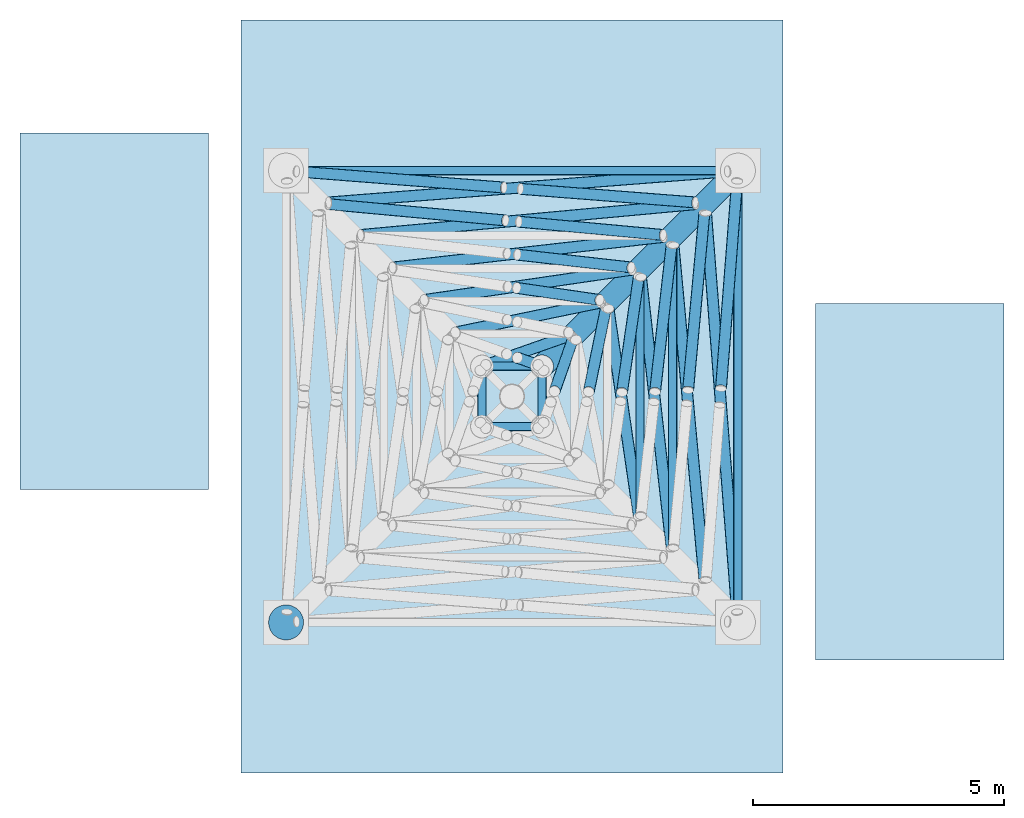
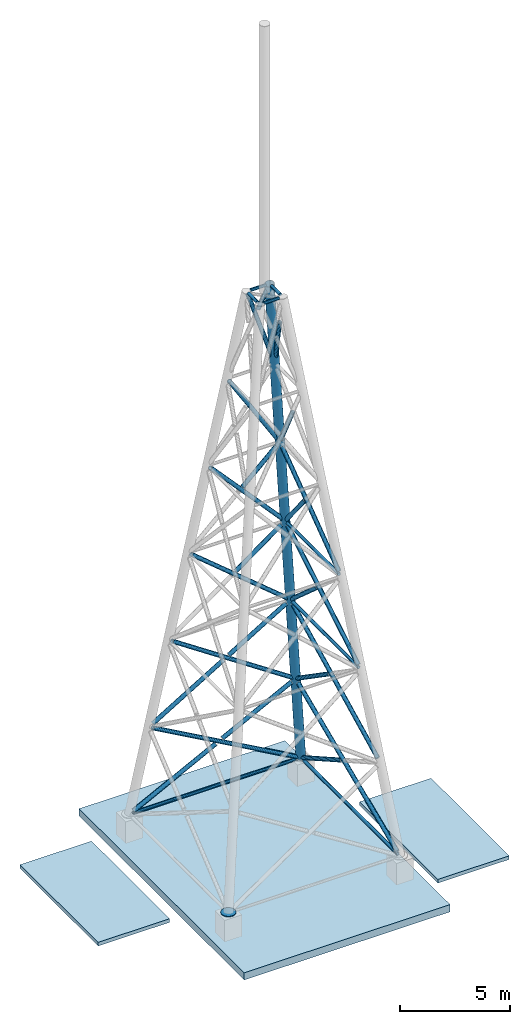
# One storey, part 2 of 10: 32 members, 3 slabs, 1 discrete accessory.
"""IFC4 building model written with IfcOpenShell, lengths in metres."""

from ifc_helpers import new_model, si_unit, direction, frame, origin, origin_2d, place, context, subcontext, project, spatial, polyline, circle, hollow_circle, outline, extrude, material, layer, layer_set, material_profile, profile_set, type_object, element, save


model = new_model("IFC4")

# Units and contexts
model_context = context("Model", 3, precision=1e-05, world=origin(), true_north=direction((0.0, 1.0)))
body_context = subcontext(model_context, "Body", "Model", "MODEL_VIEW")
ifc_project = project(units=[si_unit("LENGTHUNIT", "METRE"), si_unit("AREAUNIT", "SQUARE_METRE"), si_unit("VOLUMEUNIT", "CUBIC_METRE"), si_unit("PLANEANGLEUNIT", "RADIAN"), si_unit("MASSUNIT", "GRAM", prefix="KILO")], contexts=[model_context])

# Site, building, storey
site_placement = place(None, origin())
site = spatial("IfcSite", under=ifc_project, at=site_placement, CompositionType="ELEMENT")
building_placement = place(site_placement, origin())
building = spatial("IfcBuilding", under=site, at=building_placement, Name="Dhurran Vertical Campus", CompositionType="ELEMENT")
storey_placement = place(building_placement, frame((0.0, 0.0, 345.89990234375)))
storey = spatial("IfcBuildingStorey", under=building, at=storey_placement, Name="Upper Roof", CompositionType="ELEMENT", Elevation=345.89990234375)

# Members
ifc_material_1 = material(Name="Steel S355J2H", Category="steel")
ifc_material_profile_1 = material_profile(ifc_material_1, hollow_circle(Radius=0.109619140625, WallThickness=0.008056640625, at=origin_2d()), Name="CHS219x8")
ifc_profile_set_1 = profile_set([ifc_material_profile_1], Name="Steel S355J2H")
member_type_1 = type_object("IfcMemberType", Name="Mast diagonal CHS 219 x 8", PredefinedType="BRACE", material=ifc_profile_set_1)
member_1_placement = place(storey_placement, frame((4.4833984375, -4.287353515625, 1.7275390625), z_axis=(-0.066618579112, 0.856046104274, 0.51258856042), x_axis=(-0.996985611211, -0.077586667917, 0.0)))
element("IfcMember", 1, at=member_1_placement, inside=storey, type_object=member_type_1, Name="MAST diagonal 4", PredefinedType="BRACE", context=body_context, shape_type="SweptSolid", body=[
    extrude(hollow_circle(Radius=0.109619140625, WallThickness=0.008056640625, at=origin_2d()), origin(), (0.0, 0.0, 1.0), 9.257080078125),
])
member_2_placement = place(storey_placement, frame((4.4833984375, 4.287353515625, 1.7275390625), z_axis=(-0.066635839385, -0.856057220148, 0.512567752343), x_axis=(0.996984134036, -0.077605647218, 0.0)))
element("IfcMember", 2, at=member_2_placement, inside=storey, type_object=member_type_1, Name="MAST diagonal 5", PredefinedType="BRACE", context=body_context, shape_type="SweptSolid", body=[
    extrude(hollow_circle(Radius=0.109619140625, WallThickness=0.008056640625, at=origin_2d()), origin(), (0.0, 0.0, 1.0), 4.806884765625),
])
member_3_placement = place(storey_placement, frame((4.287353515625, 4.4833984375, 1.7275390625), z_axis=(-0.856046104274, -0.066618579112, 0.51258856042), x_axis=(0.077586667917, -0.996985611211, 0.0)))
element("IfcMember", 3, at=member_3_placement, inside=storey, type_object=member_type_1, Name="MAST diagonal 7", PredefinedType="BRACE", context=body_context, shape_type="SweptSolid", body=[
    extrude(hollow_circle(Radius=0.109619140625, WallThickness=0.008056640625, at=origin_2d()), origin(), (0.0, 0.0, 1.0), 9.257080078125),
])
member_4_placement = place(storey_placement, frame((-4.287353515625, 4.4833984375, 1.7275390625), z_axis=(0.856057220148, -0.066635839385, 0.512567752343), x_axis=(0.077605647218, 0.996984134036, 0.0)))
element("IfcMember", 4, at=member_4_placement, inside=storey, type_object=member_type_1, Name="MAST diagonal 8", PredefinedType="BRACE", context=body_context, shape_type="SweptSolid", body=[
    extrude(hollow_circle(Radius=0.109619140625, WallThickness=0.008056640625, at=origin_2d()), origin(), (0.0, 0.0, 1.0), 4.806884765625),
])
member_5_placement = place(storey_placement, frame((0.17236328125, 4.13623046875, 4.39794921875), z_axis=(0.856046905359, -0.066592149346, 0.512590656831), x_axis=(0.077555999795, 0.996987997368, 0.0)))
element("IfcMember", 5, at=member_5_placement, inside=storey, type_object=member_type_1, Name="MAST diagonal 9", PredefinedType="BRACE", context=body_context, shape_type="SweptSolid", body=[
    extrude(hollow_circle(Radius=0.109619140625, WallThickness=0.008056640625, at=origin_2d()), origin(), (0.0, 0.0, 1.0), 4.047607421875),
])
member_6_placement = place(storey_placement, frame((3.831298828125, -3.64794921875, 6.743408203125), z_axis=(-0.075000441987, 0.813381287384, 0.576875909564), x_axis=(-0.995775740052, -0.091818710096, 0.0)))
element("IfcMember", 6, at=member_6_placement, inside=storey, type_object=member_type_1, Name="MAST diagonal 16", PredefinedType="BRACE", context=body_context, shape_type="SweptSolid", body=[
    extrude(hollow_circle(Radius=0.109619140625, WallThickness=0.008056640625, at=origin_2d()), origin(), (0.0, 0.0, 1.0), 8.17041015625),
])
member_7_placement = place(storey_placement, frame((3.831298828125, 3.64794921875, 6.743408203125), z_axis=(-0.074968569168, -0.81338632636, 0.576872947647), x_axis=(0.995779358914, -0.091779455009, 0.0)))
element("IfcMember", 7, at=member_7_placement, inside=storey, type_object=member_type_1, Name="MAST diagonal 17", PredefinedType="BRACE", context=body_context, shape_type="SweptSolid", body=[
    extrude(hollow_circle(Radius=0.109619140625, WallThickness=0.008056640625, at=origin_2d()), origin(), (0.0, 0.0, 1.0), 4.311767578125),
])
member_8_placement = place(storey_placement, frame((3.64794921875, 3.831298828125, 6.743408203125), z_axis=(-0.813381287384, -0.075000441987, 0.576875909564), x_axis=(0.091818710096, -0.995775740052, 0.0)))
element("IfcMember", 8, at=member_8_placement, inside=storey, type_object=member_type_1, Name="MAST diagonal 19", PredefinedType="BRACE", context=body_context, shape_type="SweptSolid", body=[
    extrude(hollow_circle(Radius=0.109619140625, WallThickness=0.008056640625, at=origin_2d()), origin(), (0.0, 0.0, 1.0), 8.17041015625),
])
member_9_placement = place(storey_placement, frame((-3.64794921875, 3.831298828125, 6.743408203125), z_axis=(0.81338632636, -0.074968569168, 0.576872947647), x_axis=(0.091779455009, 0.995779358914, 0.0)))
element("IfcMember", 9, at=member_9_placement, inside=storey, type_object=member_type_1, Name="MAST diagonal 20", PredefinedType="BRACE", context=body_context, shape_type="SweptSolid", body=[
    extrude(hollow_circle(Radius=0.109619140625, WallThickness=0.008056640625, at=origin_2d()), origin(), (0.0, 0.0, 1.0), 4.311767578125),
])
member_10_placement = place(storey_placement, frame((0.140869140625, 3.48193359375, 9.430419921875), z_axis=(0.813362818014, -0.074997306498, 0.576902357675), x_axis=(0.091816971161, 0.995775900395, 0.0)))
element("IfcMember", 10, at=member_10_placement, inside=storey, type_object=member_type_1, Name="MAST diagonal 21", PredefinedType="BRACE", context=body_context, shape_type="SweptSolid", body=[
    extrude(hollow_circle(Radius=0.109619140625, WallThickness=0.008056640625, at=origin_2d()), origin(), (0.0, 0.0, 1.0), 3.512451171875),
])
member_11_placement = place(storey_placement, frame((3.178955078125, -3.01318359375, 11.7626953125), z_axis=(-0.085016389762, 0.75189997403, 0.653772622955), x_axis=(-0.993668374878, -0.112352840498, 0.0)))
element("IfcMember", 11, at=member_11_placement, inside=storey, type_object=member_type_1, Name="MAST diagonal 28", PredefinedType="BRACE", context=body_context, shape_type="SweptSolid", body=[
    extrude(hollow_circle(Radius=0.109619140625, WallThickness=0.008056640625, at=origin_2d()), origin(), (0.0, 0.0, 1.0), 7.150390625),
])
member_12_placement = place(storey_placement, frame((3.178955078125, 3.01318359375, 11.7626953125), z_axis=(-0.085010509833, -0.751884776932, 0.653790865213), x_axis=(0.993668988876, -0.112347410057, 0.0)))
element("IfcMember", 12, at=member_12_placement, inside=storey, type_object=member_type_1, Name="MAST diagonal 29", PredefinedType="BRACE", context=body_context, shape_type="SweptSolid", body=[
    extrude(hollow_circle(Radius=0.109619140625, WallThickness=0.008056640625, at=origin_2d()), origin(), (0.0, 0.0, 1.0), 3.86279296875),
])
member_13_placement = place(storey_placement, frame((3.01318359375, 3.178955078125, 11.7626953125), z_axis=(-0.75189997403, -0.085016389762, 0.653772622955), x_axis=(0.112352840498, -0.993668374878, 0.0)))
element("IfcMember", 13, at=member_13_placement, inside=storey, type_object=member_type_1, Name="MAST diagonal 31", PredefinedType="BRACE", context=body_context, shape_type="SweptSolid", body=[
    extrude(hollow_circle(Radius=0.109619140625, WallThickness=0.008056640625, at=origin_2d()), origin(), (0.0, 0.0, 1.0), 7.150390625),
])
member_14_placement = place(storey_placement, frame((0.10888671875, 2.825927734375, 14.4775390625), z_axis=(0.751936755821, -0.085014292081, 0.653730590831), x_axis=(0.112344676954, 0.993669297885, 0.0)))
element("IfcMember", 14, at=member_14_placement, inside=storey, type_object=member_type_1, Name="MAST diagonal 33", PredefinedType="BRACE", context=body_context, shape_type="SweptSolid", body=[
    extrude(hollow_circle(Radius=0.109619140625, WallThickness=0.008056640625, at=origin_2d()), origin(), (0.0, 0.0, 1.0), 2.998046875),
])
member_15_placement = place(storey_placement, frame((2.52587890625, -2.385498046875, 16.784912109375), z_axis=(-0.096631766573, 0.661721793003, 0.743496180456), x_axis=(-0.989505060159, -0.144498221167, 0.0)))
element("IfcMember", 15, at=member_15_placement, inside=storey, type_object=member_type_1, Name="MAST diagonal 40", PredefinedType="BRACE", context=body_context, shape_type="SweptSolid", body=[
    extrude(hollow_circle(Radius=0.109619140625, WallThickness=0.008056640625, at=origin_2d()), origin(), (0.0, 0.0, 1.0), 6.227783203125),
])
member_16_placement = place(storey_placement, frame((2.52587890625, 2.385498046875, 16.784912109375), z_axis=(-0.096643673213, -0.661691718785, 0.743521398293), x_axis=(0.989501575003, -0.144522085048, 0.0)))
element("IfcMember", 16, at=member_16_placement, inside=storey, type_object=member_type_1, Name="MAST diagonal 41", PredefinedType="BRACE", context=body_context, shape_type="SweptSolid", body=[
    extrude(hollow_circle(Radius=0.109619140625, WallThickness=0.008056640625, at=origin_2d()), origin(), (0.0, 0.0, 1.0), 3.4609375),
])
member_17_placement = place(storey_placement, frame((2.385498046875, 2.52587890625, 16.784912109375), z_axis=(-0.661721793003, -0.096631766573, 0.743496180456), x_axis=(0.144498221167, -0.989505060159, 0.0)))
element("IfcMember", 17, at=member_17_placement, inside=storey, type_object=member_type_1, Name="MAST diagonal 43", PredefinedType="BRACE", context=body_context, shape_type="SweptSolid", body=[
    extrude(hollow_circle(Radius=0.109619140625, WallThickness=0.008056640625, at=origin_2d()), origin(), (0.0, 0.0, 1.0), 6.227783203125),
])
member_18_placement = place(storey_placement, frame((0.095458984375, 2.16357421875, 19.572509765625), z_axis=(0.661731624992, -0.09662975947, 0.743487690598), x_axis=(0.144493180429, 0.989505796249, 0.0)))
element("IfcMember", 18, at=member_18_placement, inside=storey, type_object=member_type_1, Name="MAST diagonal 45", PredefinedType="BRACE", context=body_context, shape_type="SweptSolid", body=[
    extrude(hollow_circle(Radius=0.109619140625, WallThickness=0.008056640625, at=origin_2d()), origin(), (0.0, 0.0, 1.0), 2.478515625),
])
member_19_placement = place(storey_placement, frame((1.872802734375, 1.768310546875, 21.80908203125), z_axis=(-0.109323848939, -0.529836052534, 0.84102440719), x_axis=(0.979369346392, -0.202078408912, 0.0)))
element("IfcMember", 19, at=member_19_placement, inside=storey, type_object=member_type_1, Name="MAST diagonal 53", PredefinedType="BRACE", context=body_context, shape_type="SweptSolid", body=[
    extrude(hollow_circle(Radius=0.109619140625, WallThickness=0.008056640625, at=origin_2d()), origin(), (0.0, 0.0, 1.0), 3.14208984375),
])
member_20_placement = place(storey_placement, frame((1.768310546875, 1.872802734375, 21.80908203125), z_axis=(-0.529846960515, -0.109339190093, 0.841015540845), x_axis=(0.202101617064, -0.979364557445, 0.0)))
element("IfcMember", 20, at=member_20_placement, inside=storey, type_object=member_type_1, Name="MAST diagonal 55", PredefinedType="BRACE", context=body_context, shape_type="SweptSolid", body=[
    extrude(hollow_circle(Radius=0.109619140625, WallThickness=0.008056640625, at=origin_2d()), origin(), (0.0, 0.0, 1.0), 5.4482421875),
])
member_21_placement = place(storey_placement, frame((1.219970703125, 1.164306640625, 26.831298828125), z_axis=(-0.121035661009, -0.344449311963, 0.930969945945), x_axis=(0.943449063379, -0.331517518104, 0.0)))
element("IfcMember", 21, at=member_21_placement, inside=storey, type_object=member_type_1, Name="MAST diagonal 65", PredefinedType="BRACE", context=body_context, shape_type="SweptSolid", body=[
    extrude(hollow_circle(Radius=0.109619140625, WallThickness=0.008056640625, at=origin_2d()), origin(), (0.0, 0.0, 1.0), 3.06201171875),
])
member_22_placement = place(storey_placement, frame((1.164306640625, 1.219970703125, 26.831298828125), z_axis=(-0.344422318553, -0.121018662249, 0.930982142616), x_axis=(0.331499198537, -0.943455500471, 0.0)))
element("IfcMember", 22, at=member_22_placement, inside=storey, type_object=member_type_1, Name="MAST diagonal 67", PredefinedType="BRACE", context=body_context, shape_type="SweptSolid", body=[
    extrude(hollow_circle(Radius=0.109619140625, WallThickness=0.008056640625, at=origin_2d()), origin(), (0.0, 0.0, 1.0), 4.8740234375),
])
member_23_placement = place(storey_placement, frame((0.109619140625, 0.772216796875, 30.275146484375), z_axis=(0.344534864702, -0.120940465173, 0.93095065975), x_axis=(0.331212165142, 0.943556305507, 0.0)))
element("IfcMember", 23, at=member_23_placement, inside=storey, type_object=member_type_1, Name="MAST diagonal 69", PredefinedType="BRACE", context=body_context, shape_type="SweptSolid", body=[
    extrude(hollow_circle(Radius=0.109619140625, WallThickness=0.008056640625, at=origin_2d()), origin(), (0.0, 0.0, 1.0), 1.1748046875),
])
ifc_material_2 = material(Name="Steel S355J2H", Category="steel")
ifc_material_profile_2 = material_profile(ifc_material_2, hollow_circle(Radius=0.228515625, WallThickness=0.01611328125, at=origin_2d()), Name="CHS457x16")
ifc_profile_set_2 = profile_set([ifc_material_profile_2], Name="Steel S355J2H")
member_type_2 = type_object("IfcMemberType", Name="Mast leg CHS 457 x 16", PredefinedType="BRACE", material=ifc_profile_set_2)
member_24_placement = place(storey_placement, frame((4.494873046875, 4.494873046875, 1.64013671875), z_axis=(-0.127856550059, -0.127856550059, 0.983516855582), x_axis=(0.707106781187, -0.707106781187, 0.0)))
element("IfcMember", 24, at=member_24_placement, inside=storey, type_object=member_type_2, Name="MAST leg 3", PredefinedType="BRACE", context=body_context, shape_type="SweptSolid", body=[
    extrude(hollow_circle(Radius=0.228515625, WallThickness=0.01611328125, at=origin_2d()), origin(), (0.0, 0.0, 1.0), 30.462158203125),
])
ifc_material_3 = material(Name="Steel S355J2H", Category="steel")
ifc_material_profile_3 = material_profile(ifc_material_3, hollow_circle(Radius=0.084228515625, WallThickness=0.006103515625, at=origin_2d()), Name="CHS168x6")
ifc_profile_set_3 = profile_set([ifc_material_profile_3], Name="Steel S355J2H")
member_type_3 = type_object("IfcMemberType", Name="Mast ring CHS 168 x 6", PredefinedType="BRACE", material=ifc_profile_set_3)
for number, where, z_axis, x_axis, name in (
    (25, (4.5, -4.301513671875, 1.60009765625), (0.0, 1.0, 0.0), (-1.0, 0.0, 0.0), "MAST ring 2"),
    (26, (4.301513671875, 4.5, 1.60009765625), (-1.0, 0.0, 0.0), (0.0, -1.0, 0.0), "MAST ring 3"),
):
    element("IfcMember", number, at=place(storey_placement, frame(where, z_axis=z_axis, x_axis=x_axis)), inside=storey, type_object=member_type_3, Name=name, PredefinedType="BRACE", context=body_context, shape_type="SweptSolid", body=[
        extrude(hollow_circle(Radius=0.084228515625, WallThickness=0.006103515625, at=origin_2d()), origin(), (0.0, 0.0, 1.0), 8.60302734375),
    ])
member_25_placement = place(storey_placement, frame((3.199951171875, -3.00146484375, 11.60009765625), z_axis=(0.0, 1.0, 0.0), x_axis=(-1.0, 0.0, 0.0)))
element("IfcMember", 27, at=member_25_placement, inside=storey, type_object=member_type_3, Name="MAST ring 6", PredefinedType="BRACE", context=body_context, shape_type="SweptSolid", body=[
    extrude(hollow_circle(Radius=0.084228515625, WallThickness=0.006103515625, at=origin_2d()), origin(), (0.0, 0.0, 1.0), 6.0029296875),
])
member_26_placement = place(storey_placement, frame((2.550048828125, -2.3515625, 16.60009765625), z_axis=(0.0, 1.0, 0.0), x_axis=(-1.0, 0.0, 0.0)))
element("IfcMember", 28, at=member_26_placement, inside=storey, type_object=member_type_3, Name="MAST ring 10", PredefinedType="BRACE", context=body_context, shape_type="SweptSolid", body=[
    extrude(hollow_circle(Radius=0.084228515625, WallThickness=0.006103515625, at=origin_2d()), origin(), (0.0, 0.0, 1.0), 4.703125),
])
for number, where, z_axis, x_axis, name in (
    (29, (-0.401611328125, -0.60009765625, 31.60009765625), (1.0, 0.0, 0.0), (0.0, 1.0, 0.0), "MAST ring 21"),
    (30, (0.60009765625, -0.401611328125, 31.60009765625), (0.0, 1.0, 0.0), (-1.0, 0.0, 0.0), "MAST ring 22"),
    (31, (0.401611328125, 0.60009765625, 31.60009765625), (-1.0, 0.0, 0.0), (0.0, -1.0, 0.0), "MAST ring 23"),
    (32, (-0.60009765625, 0.401611328125, 31.60009765625), (0.0, -1.0, 0.0), (1.0, 0.0, 0.0), "MAST ring 24"),
):
    element("IfcMember", number, at=place(storey_placement, frame(where, z_axis=z_axis, x_axis=x_axis)), inside=storey, type_object=member_type_3, Name=name, PredefinedType="BRACE", context=body_context, shape_type="SweptSolid", body=[
        extrude(hollow_circle(Radius=0.084228515625, WallThickness=0.006103515625, at=origin_2d()), origin(), (0.0, 0.0, 1.0), 0.80322265625),
    ])

# Slabs
ifc_material_4 = material(Name="Precast concrete C50/60", Category="concrete")
ifc_layer_1 = layer(ifc_material_4, 0.199951171875)
ifc_layer_set_1 = layer_set([ifc_layer_1], Name="Precast concrete C50/60")
slab_type_1 = type_object("IfcSlabType", Name="Crown stair head-house roof slab 200", PredefinedType="ROOF", material=ifc_layer_set_1)
slab_1_placement = place(storey_placement, origin())
element("IfcSlab", 33, at=slab_1_placement, inside=storey, type_object=slab_type_1, Name="HS1 ST5 head-house roof", PredefinedType="ROOF", context=body_context, shape_type="SweptSolid", body=[
    extrude(outline(polyline([(-9.800048828125, -1.85009765625), (-6.050048828125, -1.85009765625), (-6.050048828125, 5.25), (-9.800048828125, 5.25), (-9.800048828125, -1.85009765625)])), origin(), (0.0, 0.0, 1.0), 0.2001953125),
])
slab_2_placement = place(storey_placement, origin())
element("IfcSlab", 34, at=slab_2_placement, inside=storey, type_object=slab_type_1, Name="HS1 ST6 head-house roof", PredefinedType="ROOF", context=body_context, shape_type="SweptSolid", body=[
    extrude(outline(polyline([(6.050048828125, -5.25), (9.800048828125, -5.25), (9.800048828125, 1.85009765625), (6.050048828125, 1.85009765625), (6.050048828125, -5.25)])), origin(), (0.0, 0.0, 1.0), 0.2001953125),
])
ifc_material_5 = material(Name="Concrete C40/50", Category="concrete")
ifc_layer_2 = layer(ifc_material_5, 0.39990234375)
ifc_layer_set_2 = layer_set([ifc_layer_2], Name="Concrete C40/50")
slab_type_2 = type_object("IfcSlabType", Name="Plant drum roof slab 400", PredefinedType="ROOF", material=ifc_layer_set_2)
slab_3_placement = place(storey_placement, origin())
element("IfcSlab", 35, at=slab_3_placement, inside=storey, type_object=slab_type_2, Name="DS1 plant drum roof", PredefinedType="ROOF", context=body_context, shape_type="SweptSolid", body=[
    extrude(outline(polyline([(-5.39990234375, -7.5), (5.39990234375, -7.5), (5.39990234375, 7.5), (-5.39990234375, 7.5), (-5.39990234375, -7.5)])), origin(), (0.0, 0.0, 1.0), 0.400146484375),
])

# Discrete accessory
ifc_material_6 = material(Name="Steel S355J2", Category="steel")
ifc_material_profile_4 = material_profile(ifc_material_6, circle(Radius=0.348388671875, at=origin_2d()), Name="Mast base plate 697 x 40")
ifc_profile_set_4 = profile_set([ifc_material_profile_4], Name="Steel S355J2")
discrete_accessory_type = type_object("IfcDiscreteAccessoryType", Name="Mast base plate 697 x 40", PredefinedType="USERDEFINED", material=ifc_profile_set_4)
discrete_accessory_placement = place(storey_placement, frame((-4.5, -4.5, 1.60009765625), z_axis=(0.0, 0.0, 1.0), x_axis=(1.0, 0.0, 0.0)))
element("IfcDiscreteAccessory", 36, at=discrete_accessory_placement, inside=storey, type_object=discrete_accessory_type, Name="EC2 mast leg 1 base plate", ObjectType="BASE PLATE", PredefinedType="USERDEFINED", context=body_context, shape_type="SweptSolid", body=[
    extrude(circle(Radius=0.348388671875, at=origin_2d()), origin(), (0.0, 0.0, 1.0), 0.0400390625),
])

save(model, "model.ifc")
